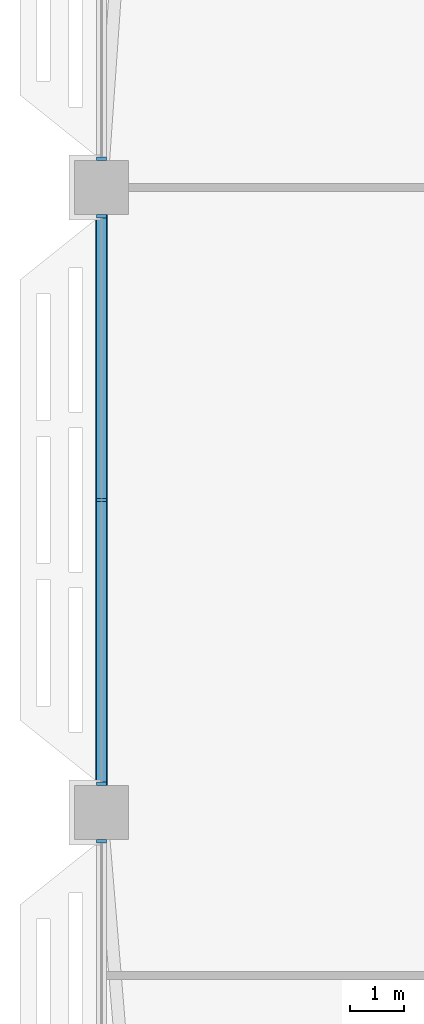
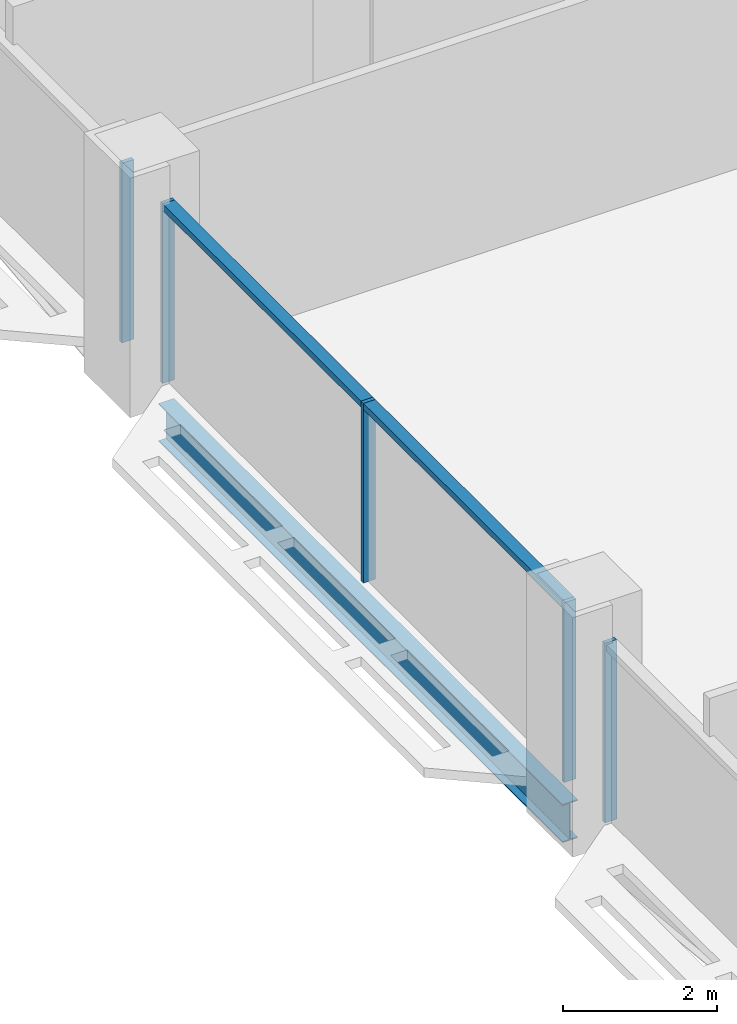
# One storey, part 7 of 32: 7 members, 1 beam, 3 elements without a shape of their own.
"""IFC4 building model written with IfcOpenShell, lengths in metres."""

from ifc_helpers import new_model, si_unit, direction, frame, origin, origin_2d, place, context, subcontext, project, spatial, rectangle, i_section, extrude, material, material_profile, profile_set, type_object, element, aggregate, save


model = new_model("IFC4")

# Units and contexts
model_context = context("Model", 3, precision=1e-05, world=origin(), true_north=direction((0.0, 1.0)))
body_context = subcontext(model_context, "Body", "Model", "MODEL_VIEW")
ifc_project = project(units=[si_unit("LENGTHUNIT", "METRE"), si_unit("AREAUNIT", "SQUARE_METRE"), si_unit("VOLUMEUNIT", "CUBIC_METRE"), si_unit("PLANEANGLEUNIT", "RADIAN"), si_unit("MASSUNIT", "GRAM", prefix="KILO")], contexts=[model_context])

# Site, building, storey
site_placement = place(None, origin())
site = spatial("IfcSite", under=ifc_project, at=site_placement, CompositionType="ELEMENT")
building_placement = place(site_placement, origin())
building = spatial("IfcBuilding", under=site, at=building_placement, Name="Mahtab Terrace Research Tower", CompositionType="ELEMENT")
storey_placement = place(building_placement, frame((0.0, 0.0, 232.39990234375)))
storey = spatial("IfcBuildingStorey", under=building, at=storey_placement, Name="L56", CompositionType="ELEMENT", Elevation=232.39990234375)

# Curtain wall, member
ifc_material_1 = material(Name="Office ribbon curtain wall")
curtain_wall_type = type_object("IfcCurtainWallType", Name="Office ribbon curtain wall", PredefinedType="NOTDEFINED", material=ifc_material_1)
curtain_wall_1_placement = place(storey_placement, origin())
curtain_wall_1 = element("IfcCurtainWall", 1, at=curtain_wall_1_placement, inside=storey, type_object=curtain_wall_type, Name="EN.L56.8.8", PredefinedType="NOTDEFINED")
ifc_material_2 = material(Name="Natural anodised aluminium", Category="aluminium")
ifc_material_profile_1 = material_profile(ifc_material_2, rectangle(XDim=0.179931640625, YDim=0.06005859375, at=origin_2d()), Name="MULLION 60x180")
ifc_profile_set_1 = profile_set([ifc_material_profile_1], Name="Natural anodised aluminium")
member_type_1 = type_object("IfcMemberType", Name="Office ribbon curtain wall mullion", PredefinedType="MULLION", material=ifc_profile_set_1)
member_1_placement = place(storey_placement, frame((-42.0, 12.030029296875, 0.0), z_axis=(0.0, 0.0, 1.0), x_axis=(1.0, 0.0, 0.0)))
member_1 = element("IfcMember", 2, at=member_1_placement, type_object=member_type_1, Name="CWO-7 mullion 3", PredefinedType="MULLION", context=body_context, shape_type="SweptSolid", body=[
    extrude(rectangle(XDim=0.179931640625, YDim=0.06005859375, at=origin_2d()), origin(), (0.0, 0.0, 1.0), 2.85302734375),
])
aggregate(curtain_wall_1, [member_1])

# Curtain wall, members
curtain_wall_2_placement = place(storey_placement, origin())
curtain_wall_2 = element("IfcCurtainWall", 3, at=curtain_wall_2_placement, inside=storey, type_object=curtain_wall_type, Name="EN.L56.8.9", PredefinedType="NOTDEFINED")
member_2_placement = place(storey_placement, frame((-42.0, 10.969970703125, 0.0), z_axis=(0.0, 0.0, 1.0), x_axis=(1.0, 0.0, 0.0)))
member_2 = element("IfcMember", 4, at=member_2_placement, type_object=member_type_1, Name="CWO-7 mullion 1", PredefinedType="MULLION", context=body_context, shape_type="SweptSolid", body=[
    extrude(rectangle(XDim=0.179931640625, YDim=0.06005859375, at=origin_2d()), origin(), (0.0, 0.0, 1.0), 2.85302734375),
])
member_3_placement = place(storey_placement, frame((-42.0, 5.75, 0.0), z_axis=(0.0, 0.0, 1.0), x_axis=(1.0, 0.0, 0.0)))
member_3 = element("IfcMember", 5, at=member_3_placement, type_object=member_type_1, Name="CWO-7 mullion 2", PredefinedType="MULLION", context=body_context, shape_type="SweptSolid", body=[
    extrude(rectangle(XDim=0.179931640625, YDim=0.06005859375, at=origin_2d()), origin(), (0.0, 0.0, 1.0), 2.85302734375),
])
member_4_placement = place(storey_placement, frame((-42.0, 0.530029296875, 0.0), z_axis=(0.0, 0.0, 1.0), x_axis=(1.0, 0.0, 0.0)))
member_4 = element("IfcMember", 6, at=member_4_placement, type_object=member_type_1, Name="CWO-7 mullion 3", PredefinedType="MULLION", context=body_context, shape_type="SweptSolid", body=[
    extrude(rectangle(XDim=0.179931640625, YDim=0.06005859375, at=origin_2d()), origin(), (0.0, 0.0, 1.0), 2.85302734375),
])

# Curtain wall, member
curtain_wall_3_placement = place(storey_placement, origin())
curtain_wall_3 = element("IfcCurtainWall", 7, at=curtain_wall_3_placement, inside=storey, type_object=curtain_wall_type, Name="EN.L56.8.10", PredefinedType="NOTDEFINED")
member_5_placement = place(storey_placement, frame((-42.0, -0.530029296875, 0.0), z_axis=(0.0, 0.0, 1.0), x_axis=(1.0, 0.0, 0.0)))
member_5 = element("IfcMember", 8, at=member_5_placement, type_object=member_type_1, Name="CWO-7 mullion 1", PredefinedType="MULLION", context=body_context, shape_type="SweptSolid", body=[
    extrude(rectangle(XDim=0.179931640625, YDim=0.06005859375, at=origin_2d()), origin(), (0.0, 0.0, 1.0), 2.85302734375),
])
aggregate(curtain_wall_3, [member_5])

# Member
ifc_material_profile_2 = material_profile(ifc_material_2, rectangle(XDim=0.179931640625, YDim=0.10009765625, at=origin_2d()), Name="TRANSOM 100x180")
ifc_profile_set_2 = profile_set([ifc_material_profile_2], Name="Natural anodised aluminium")
member_type_2 = type_object("IfcMemberType", Name="Office ribbon curtain wall transom", PredefinedType="USERDEFINED", material=ifc_profile_set_2)
member_6_placement = place(storey_placement, frame((-42.0, 10.93994140625, 2.802978515625), z_axis=(0.0, -1.0, 0.0), x_axis=(1.0, 0.0, 0.0)))
member_6 = element("IfcMember", 9, at=member_6_placement, type_object=member_type_2, Name="CWO-7 transom 1", ObjectType="TRANSOM", PredefinedType="USERDEFINED", context=body_context, shape_type="SweptSolid", body=[
    extrude(rectangle(XDim=0.179931640625, YDim=0.10009765625, at=origin_2d()), origin(), (0.0, 0.0, 1.0), 5.159912109375),
])

member_7_placement = place(storey_placement, frame((-42.0, 5.719970703125, 2.802978515625), z_axis=(0.0, -1.0, 0.0), x_axis=(1.0, 0.0, 0.0)))
member_7 = element("IfcMember", 10, at=member_7_placement, type_object=member_type_2, Name="CWO-7 transom 2", ObjectType="TRANSOM", PredefinedType="USERDEFINED", context=body_context, shape_type="SweptSolid", body=[
    extrude(rectangle(XDim=0.179931640625, YDim=0.10009765625, at=origin_2d()), origin(), (0.0, 0.0, 1.0), 5.159912109375),
])

aggregate(curtain_wall_2, [member_2, member_3, member_4, member_6, member_7])

# Beam
ifc_material_3 = material(Name="Steel ASTM A992 Gr 50", Category="steel")
ifc_material_profile_3 = material_profile(ifc_material_3, i_section(OverallWidth=0.228271484375, OverallDepth=0.607177734375, WebThickness=0.01123046875, FlangeThickness=0.017333984375, at=origin_2d()), Name="W24X76")
ifc_profile_set_3 = profile_set([ifc_material_profile_3], Name="Steel ASTM A992 Gr 50")
beam_type = type_object("IfcBeamType", Name="W24x76 beam BS2476", PredefinedType="BEAM", material=ifc_profile_set_3)
beam_placement = place(storey_placement, frame((-42.0, 11.0, -0.6435546875), z_axis=(0.0, -1.0, 0.0), x_axis=(1.0, 0.0, 0.0)))
element("IfcBeam", 11, at=beam_placement, inside=storey, type_object=beam_type, Name="Spandrel beam L56 10", PredefinedType="BEAM", context=body_context, shape_type="SweptSolid", body=[
    extrude(i_section(OverallWidth=0.228271484375, OverallDepth=0.607177734375, WebThickness=0.01123046875, FlangeThickness=0.017333984375, at=origin_2d()), origin(), (0.0, 0.0, 1.0), 10.5),
])

save(model, "model.ifc")
